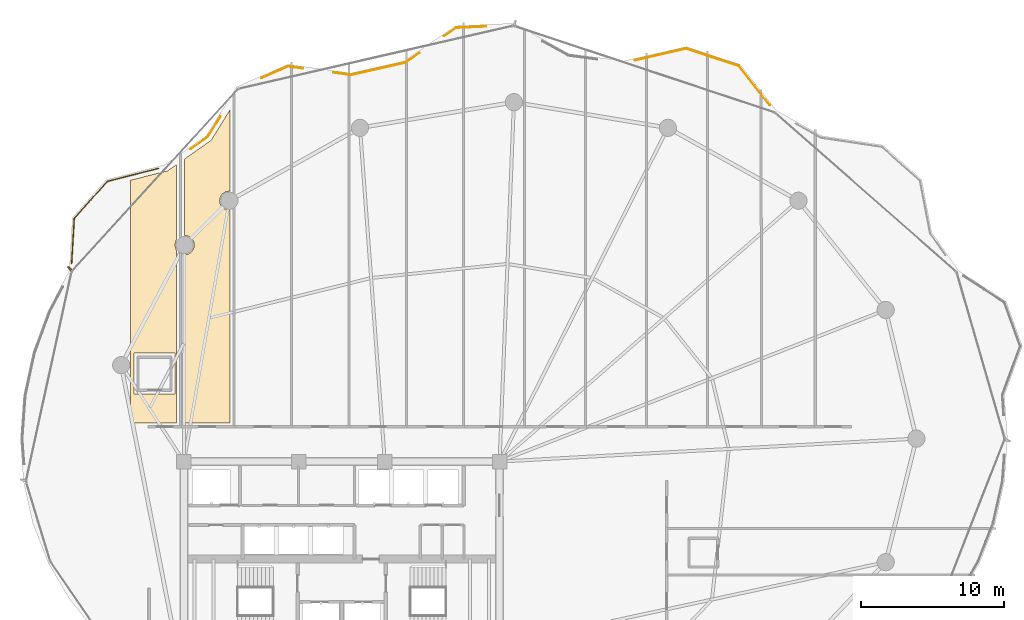
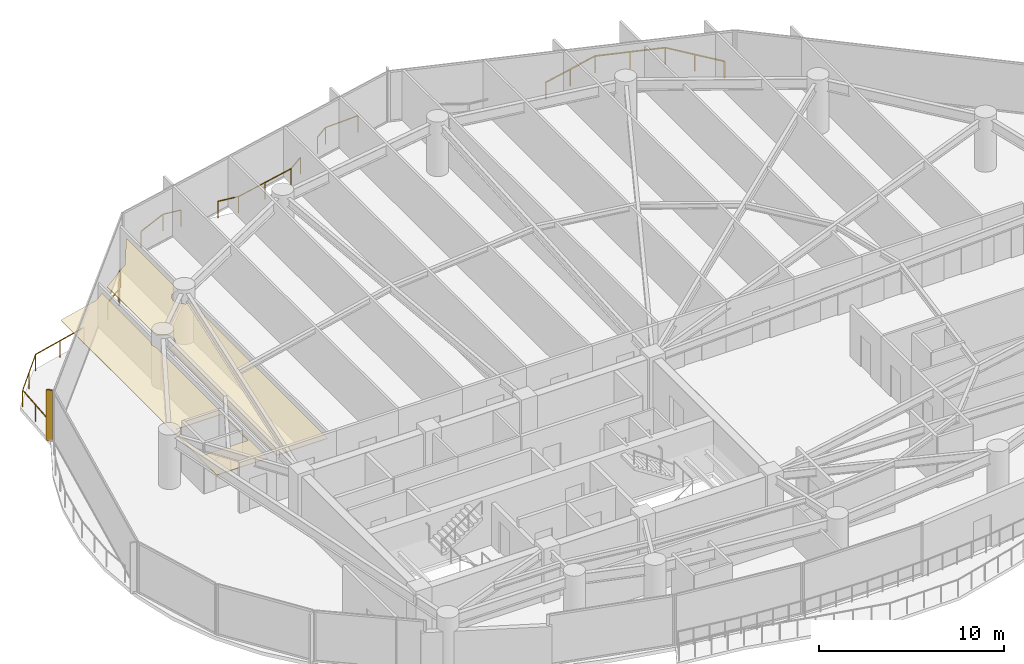
# One storey, part 33 of 34: 6 railings, 2 coverings, 1 shading device.
"""IFC4 building model written with IfcOpenShell, lengths in metres."""

from ifc_helpers import new_model, si_unit, direction, frame, origin, origin_2d, place, context, subcontext, project, spatial, polyline, rectangle, outline, extrude, material, layer, layer_set, type_object, element, save


model = new_model("IFC4")

# Units and contexts
model_context = context("Model", 3, precision=1e-05, world=origin(), true_north=direction((0.0, 1.0)))
body_context = subcontext(model_context, "Body", "Model", "MODEL_VIEW")
ifc_project = project(units=[si_unit("LENGTHUNIT", "METRE"), si_unit("AREAUNIT", "SQUARE_METRE"), si_unit("VOLUMEUNIT", "CUBIC_METRE"), si_unit("PLANEANGLEUNIT", "RADIAN"), si_unit("MASSUNIT", "GRAM", prefix="KILO")], contexts=[model_context])

# Site, building, storey
site_placement = place(None, origin())
site = spatial("IfcSite", under=ifc_project, at=site_placement, CompositionType="ELEMENT")
building_placement = place(site_placement, origin())
building = spatial("IfcBuilding", under=site, at=building_placement, Name="Kazevale Care Tower and Concert Hall", CompositionType="ELEMENT")
storey_placement = place(building_placement, frame((0.0, 0.0, 160.199951171875)))
storey = spatial("IfcBuildingStorey", under=building, at=storey_placement, Name="L42", CompositionType="ELEMENT", Elevation=160.199951171875)

# Coverings
ifc_material_1 = material(Name="Acoustic Plaster and Hinoki Wood", Category="wood")
ifc_layer = layer(ifc_material_1, 0.0400390625)
ifc_layer_set = layer_set([ifc_layer], Name="Acoustic Plaster and Hinoki Wood")
covering_type = type_object("IfcCoveringType", Name="Acoustic Perforated Wood-Gypsum Ceiling", PredefinedType="CEILING", material=ifc_layer_set)
covering_1_placement = place(storey_placement, frame((0.0, 0.0, 2.7099609375)))
element("IfcCovering", 1, at=covering_1_placement, inside=storey, type_object=covering_type, Name="clg:L42:1", PredefinedType="CEILING", context=body_context, shape_type="SweptSolid", body=[
    extrude(outline(polyline([(21.469970703125, 51.840087890625), (21.3701171875, 51.489990234375), (21.469970703125, 51.139892578125), (21.469970703125, 39.10498046875), (18.280029296875, 39.10498046875), (18.280029296875, 56.008056640625), (20.87109375, 56.6669921875), (21.469970703125, 57.0869140625), (21.469970703125, 51.840087890625)]), holes=[polyline([(18.52001953125, 41.094970703125), (21.3798828125, 41.094970703125), (21.3798828125, 43.955078125), (18.52001953125, 43.955078125), (18.52001953125, 41.094970703125)])]), origin(), (0.0, 0.0, 1.0), 0.0400390625),
])
covering_2_placement = place(storey_placement, frame((0.0, 0.0, 2.7099609375)))
element("IfcCovering", 2, at=covering_2_placement, inside=storey, type_object=covering_type, Name="clg:L42:2", PredefinedType="CEILING", context=body_context, shape_type="SweptSolid", body=[
    extrude(outline(polyline([(22.030029296875, 50.81201171875), (22.31005859375, 50.862060546875), (22.531005859375, 51.009033203125), (22.677978515625, 51.22998046875), (22.72998046875, 51.489990234375), (22.677978515625, 51.75), (22.531005859375, 51.970947265625), (22.31005859375, 52.117919921875), (22.030029296875, 52.16796875), (22.030029296875, 57.47998046875), (23.89306640625, 58.787109375), (25.219970703125, 60.927978515625), (25.219970703125, 55.2548828125), (24.909912109375, 55.2080078125), (24.68896484375, 55.06103515625), (24.5419921875, 54.840087890625), (24.489990234375, 54.580078125), (24.5419921875, 54.320068359375), (24.68896484375, 54.09912109375), (24.909912109375, 53.951904296875), (25.219970703125, 53.905029296875), (25.219970703125, 39.10498046875), (22.030029296875, 39.10498046875), (22.030029296875, 50.81201171875)])), origin(), (0.0, 0.0, 1.0), 0.0400390625),
])

# Railings
ifc_material_2 = material(Name="Anodised Bronze Aluminium and Laminated Glass", Category="aluminium")
railing_type = type_object("IfcRailingType", Name="Balcony and Terrace Balustrade 1120", PredefinedType="BALUSTRADE", material=ifc_material_2)
railing_1_placement = place(storey_placement, frame((14.176025390625, 50.219970703125, 0.0)))
element("IfcRailing", 3, at=railing_1_placement, inside=storey, type_object=railing_type, Name="rail:L42:perim:2", PredefinedType="BALUSTRADE", context=body_context, shape_type="SweptSolid", body=[
    extrude(rectangle(XDim=0.048095703125, YDim=0.048095703125, at=origin_2d()), frame((0.0, 0.0, 1.09619140625), z_axis=(0.058397513537, 0.99829340898, 0.0), x_axis=(-0.99829340898, 0.058397513537, 0.0)), (0.0, 0.0, 1.0), 3.13134765625),
    extrude(rectangle(XDim=0.048095703125, YDim=0.048095703125, at=origin_2d()), frame((0.182861328125, 3.1259765625, 1.09619140625), z_axis=(0.665105006429, 0.746749844608, 0.0), x_axis=(-0.746749844608, 0.665105006429, 0.0)), (0.0, 0.0, 1.0), 3.453857421875),
    extrude(rectangle(XDim=0.048095703125, YDim=0.048095703125, at=origin_2d()), frame((2.47998046875, 5.705078125, 1.09619140625), z_axis=(0.969135648028, 0.246528083029, 0.0), x_axis=(-0.246528083029, 0.969135648028, 0.0)), (0.0, 0.0, 1.0), 3.667236328125),
    extrude(rectangle(XDim=0.0419921875, YDim=0.0419921875, at=origin_2d()), origin(), (0.0, 0.0, 1.0), 1.072021484375),
    extrude(rectangle(XDim=0.0419921875, YDim=0.0419921875, at=origin_2d()), frame((0.09130859375, 1.56298828125, 0.0)), (0.0, 0.0, 1.0), 1.072021484375),
    extrude(rectangle(XDim=0.0419921875, YDim=0.0419921875, at=origin_2d()), frame((0.182861328125, 3.1259765625, 0.0)), (0.0, 0.0, 1.0), 1.072021484375),
    extrude(rectangle(XDim=0.0419921875, YDim=0.0419921875, at=origin_2d()), frame((1.33154296875, 4.41552734375, 0.0)), (0.0, 0.0, 1.0), 1.072021484375),
    extrude(rectangle(XDim=0.0419921875, YDim=0.0419921875, at=origin_2d()), frame((2.47998046875, 5.705078125, 0.0)), (0.0, 0.0, 1.0), 1.072021484375),
    extrude(rectangle(XDim=0.0419921875, YDim=0.0419921875, at=origin_2d()), frame((4.2568359375, 6.1572265625, 0.0)), (0.0, 0.0, 1.0), 1.072021484375),
    extrude(rectangle(XDim=0.0419921875, YDim=0.0419921875, at=origin_2d()), frame((6.033935546875, 6.609130859375, 0.0)), (0.0, 0.0, 1.0), 1.072021484375),
])
railing_2_placement = place(storey_placement, frame((22.47705078125, 58.18505859375, 0.0)))
element("IfcRailing", 4, at=railing_2_placement, inside=storey, type_object=railing_type, Name="rail:L42:perim:3", PredefinedType="BALUSTRADE", context=body_context, shape_type="SweptSolid", body=[
    extrude(rectangle(XDim=0.048095703125, YDim=0.048095703125, at=origin_2d()), frame((0.0, 0.0, 1.09619140625), z_axis=(0.819016727855, 0.573769639746, 0.0), x_axis=(-0.573769639746, 0.819016727855, 0.0)), (0.0, 0.0, 1.0), 1.439453125),
    extrude(rectangle(XDim=0.048095703125, YDim=0.048095703125, at=origin_2d()), frame((1.178955078125, 0.825927734375, 1.09619140625), z_axis=(0.526547441963, 0.85014574713, 0.0), x_axis=(-0.85014574713, 0.526547441963, 0.0)), (0.0, 0.0, 1.0), 1.69970703125),
    extrude(rectangle(XDim=0.0419921875, YDim=0.0419921875, at=origin_2d()), origin(), (0.0, 0.0, 1.0), 1.072021484375),
    extrude(rectangle(XDim=0.0419921875, YDim=0.0419921875, at=origin_2d()), frame((1.178955078125, 0.825927734375, 0.0)), (0.0, 0.0, 1.0), 1.072021484375),
    extrude(rectangle(XDim=0.0419921875, YDim=0.0419921875, at=origin_2d()), frame((2.073974609375, 2.27099609375, 0.0)), (0.0, 0.0, 1.0), 1.072021484375),
])
railing_3_placement = place(storey_placement, frame((27.425048828125, 63.135986328125, 0.0)))
element("IfcRailing", 5, at=railing_3_placement, inside=storey, type_object=railing_type, Name="rail:L42:perim:4", PredefinedType="BALUSTRADE", context=body_context, shape_type="SweptSolid", body=[
    extrude(rectangle(XDim=0.048095703125, YDim=0.048095703125, at=origin_2d()), frame((0.0, 0.0, 1.09619140625), z_axis=(0.915235534084, 0.402919243957, 0.0), x_axis=(-0.402919243957, 0.915235534084, 0.0)), (0.0, 0.0, 1.0), 1.992919921875),
    extrude(rectangle(XDim=0.048095703125, YDim=0.048095703125, at=origin_2d()), frame((1.823974609375, 0.802978515625, 1.09619140625), z_axis=(0.990895759246, -0.134631327363, 0.0), x_axis=(0.134631327363, 0.990895759246, 0.0)), (0.0, 0.0, 1.0), 1.062744140625),
    extrude(rectangle(XDim=0.0419921875, YDim=0.0419921875, at=origin_2d()), origin(), (0.0, 0.0, 1.0), 1.072021484375),
    extrude(rectangle(XDim=0.0419921875, YDim=0.0419921875, at=origin_2d()), frame((1.823974609375, 0.802978515625, 0.0)), (0.0, 0.0, 1.0), 1.072021484375),
    extrude(rectangle(XDim=0.0419921875, YDim=0.0419921875, at=origin_2d()), frame((2.876953125, 0.659912109375, 0.0)), (0.0, 0.0, 1.0), 1.072021484375),
])
railing_4_placement = place(storey_placement, frame((32.43798828125, 63.506103515625, 0.0)))
element("IfcRailing", 6, at=railing_4_placement, inside=storey, type_object=railing_type, Name="rail:L42:perim:5", PredefinedType="BALUSTRADE", context=body_context, shape_type="SweptSolid", body=[
    extrude(rectangle(XDim=0.048095703125, YDim=0.048095703125, at=origin_2d()), frame((0.0, 0.0, 1.09619140625), z_axis=(0.990995305993, -0.133896614968, 0.0), x_axis=(0.133896614968, 0.990995305993, 0.0)), (0.0, 0.0, 1.0), 1.218017578125),
    extrude(rectangle(XDim=0.048095703125, YDim=0.048095703125, at=origin_2d()), frame((1.20703125, -0.1630859375, 1.09619140625), z_axis=(0.975412879339, 0.220385377962, 0.0), x_axis=(-0.220385377962, 0.975412879339, 0.0)), (0.0, 0.0, 1.0), 3.851806640625),
    extrude(rectangle(XDim=0.048095703125, YDim=0.048095703125, at=origin_2d()), frame((4.964111328125, 0.685791015625, 1.09619140625), z_axis=(0.826107848451, 0.563512043108, 0.0), x_axis=(-0.563512043108, 0.826107848451, 0.0)), (0.0, 0.0, 1.0), 1.21044921875),
    extrude(rectangle(XDim=0.0419921875, YDim=0.0419921875, at=origin_2d()), origin(), (0.0, 0.0, 1.0), 1.072021484375),
    extrude(rectangle(XDim=0.0419921875, YDim=0.0419921875, at=origin_2d()), frame((1.20703125, -0.1630859375, 0.0)), (0.0, 0.0, 1.0), 1.072021484375),
    extrude(rectangle(XDim=0.0419921875, YDim=0.0419921875, at=origin_2d()), frame((3.08544921875, 0.26123046875, 0.0)), (0.0, 0.0, 1.0), 1.072021484375),
    extrude(rectangle(XDim=0.0419921875, YDim=0.0419921875, at=origin_2d()), frame((4.964111328125, 0.685791015625, 0.0)), (0.0, 0.0, 1.0), 1.072021484375),
    extrude(rectangle(XDim=0.0419921875, YDim=0.0419921875, at=origin_2d()), frame((5.964111328125, 1.367919921875, 0.0)), (0.0, 0.0, 1.0), 1.072021484375),
])
railing_5_placement = place(storey_placement, frame((40.125, 66.049072265625, 0.0)))
element("IfcRailing", 7, at=railing_5_placement, inside=storey, type_object=railing_type, Name="rail:L42:perim:6", PredefinedType="BALUSTRADE", context=body_context, shape_type="SweptSolid", body=[
    extrude(rectangle(XDim=0.048095703125, YDim=0.048095703125, at=origin_2d()), frame((0.0, 0.0, 1.09619140625), z_axis=(0.825986647337, 0.563689682735, 0.0), x_axis=(-0.563689682735, 0.825986647337, 0.0)), (0.0, 0.0, 1.0), 1.0302734375),
    extrude(rectangle(XDim=0.048095703125, YDim=0.048095703125, at=origin_2d()), frame((0.85107421875, 0.580810546875, 1.09619140625), z_axis=(0.999008153593, 0.044527621259, 0.0), x_axis=(-0.044527621259, 0.999008153593, 0.0)), (0.0, 0.0, 1.0), 2.0888671875),
    extrude(rectangle(XDim=0.0419921875, YDim=0.0419921875, at=origin_2d()), origin(), (0.0, 0.0, 1.0), 1.072021484375),
    extrude(rectangle(XDim=0.0419921875, YDim=0.0419921875, at=origin_2d()), frame((0.85107421875, 0.580810546875, 0.0)), (0.0, 0.0, 1.0), 1.072021484375),
    extrude(rectangle(XDim=0.0419921875, YDim=0.0419921875, at=origin_2d()), frame((2.93798828125, 0.673828125, 0.0)), (0.0, 0.0, 1.0), 1.072021484375),
])
railing_6_placement = place(storey_placement, frame((53.429931640625, 64.35791015625, 0.0)))
element("IfcRailing", 8, at=railing_6_placement, inside=storey, type_object=railing_type, Name="rail:L42:perim:8", PredefinedType="BALUSTRADE", context=body_context, shape_type="SweptSolid", body=[
    extrude(rectangle(XDim=0.048095703125, YDim=0.048095703125, at=origin_2d()), frame((0.0, 0.0, 1.09619140625), z_axis=(0.974487723827, 0.224440807588, 0.0), x_axis=(-0.224440807588, 0.974487723827, 0.0)), (0.0, 0.0, 1.0), 3.66259765625),
    extrude(rectangle(XDim=0.048095703125, YDim=0.048095703125, at=origin_2d()), frame((3.569091796875, 0.822021484375, 1.09619140625), z_axis=(0.949652960746, -0.313303772953, 0.0), x_axis=(0.313303772953, 0.949652960746, 0.0)), (0.0, 0.0, 1.0), 3.884521484375),
    extrude(rectangle(XDim=0.048095703125, YDim=0.048095703125, at=origin_2d()), frame((7.258056640625, -0.39501953125, 1.09619140625), z_axis=(0.617693820362, -0.786418682564, 0.0), x_axis=(0.786418682564, 0.617693820362, 0.0)), (0.0, 0.0, 1.0), 3.461181640625),
    extrude(rectangle(XDim=0.0419921875, YDim=0.0419921875, at=origin_2d()), origin(), (0.0, 0.0, 1.0), 1.072021484375),
    extrude(rectangle(XDim=0.0419921875, YDim=0.0419921875, at=origin_2d()), frame((1.78466796875, 0.4111328125, 0.0)), (0.0, 0.0, 1.0), 1.072021484375),
    extrude(rectangle(XDim=0.0419921875, YDim=0.0419921875, at=origin_2d()), frame((3.569091796875, 0.822021484375, 0.0)), (0.0, 0.0, 1.0), 1.072021484375),
    extrude(rectangle(XDim=0.0419921875, YDim=0.0419921875, at=origin_2d()), frame((5.41357421875, 0.21337890625, 0.0)), (0.0, 0.0, 1.0), 1.072021484375),
    extrude(rectangle(XDim=0.0419921875, YDim=0.0419921875, at=origin_2d()), frame((7.258056640625, -0.39501953125, 0.0)), (0.0, 0.0, 1.0), 1.072021484375),
    extrude(rectangle(XDim=0.0419921875, YDim=0.0419921875, at=origin_2d()), frame((8.3271484375, -1.755859375, 0.0)), (0.0, 0.0, 1.0), 1.072021484375),
    extrude(rectangle(XDim=0.0419921875, YDim=0.0419921875, at=origin_2d()), frame((9.39599609375, -3.116943359375, 0.0)), (0.0, 0.0, 1.0), 1.072021484375),
])

# Shading device
ifc_material_3 = material(Name="Anodised Bronze Aluminium", Category="aluminium")
shading_device_type = type_object("IfcShadingDeviceType", Name="Waist Anodised Bronze-Stone Fin FIN-02", PredefinedType="USERDEFINED", material=ifc_material_3)
shading_device_placement = place(storey_placement, frame((14.02197265625, 49.8671875, 0.0), z_axis=(0.0, 0.0, 1.0), x_axis=(-0.738455340626, 0.674302387584, 0.0)))
element("IfcShadingDevice", 9, at=shading_device_placement, inside=storey, type_object=shading_device_type, Name="cw:L42:f14:fin", ObjectType="FIN", PredefinedType="USERDEFINED", context=body_context, shape_type="SweptSolid", body=[
    extrude(rectangle(XDim=0.340087890625, YDim=0.10009765625, at=origin_2d()), origin(), (0.0, 0.0, 1.0), 3.360107421875),
])

save(model, "model.ifc")
